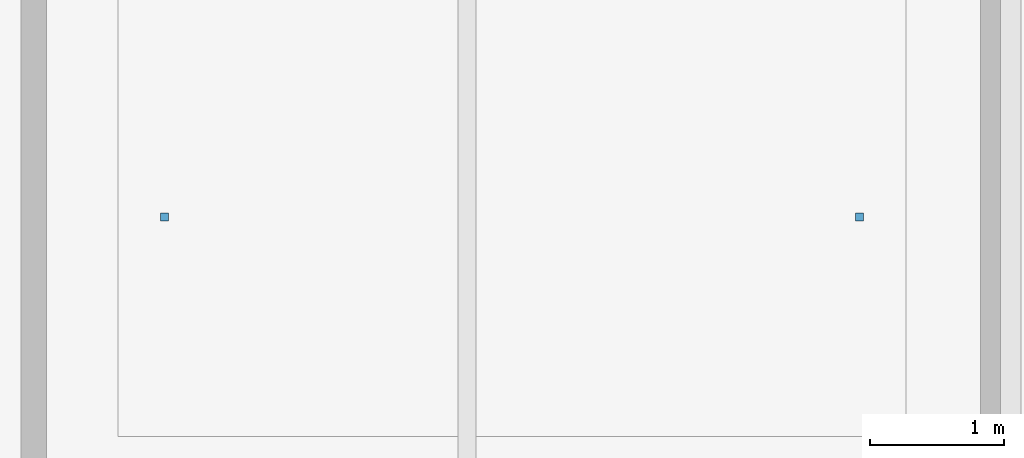
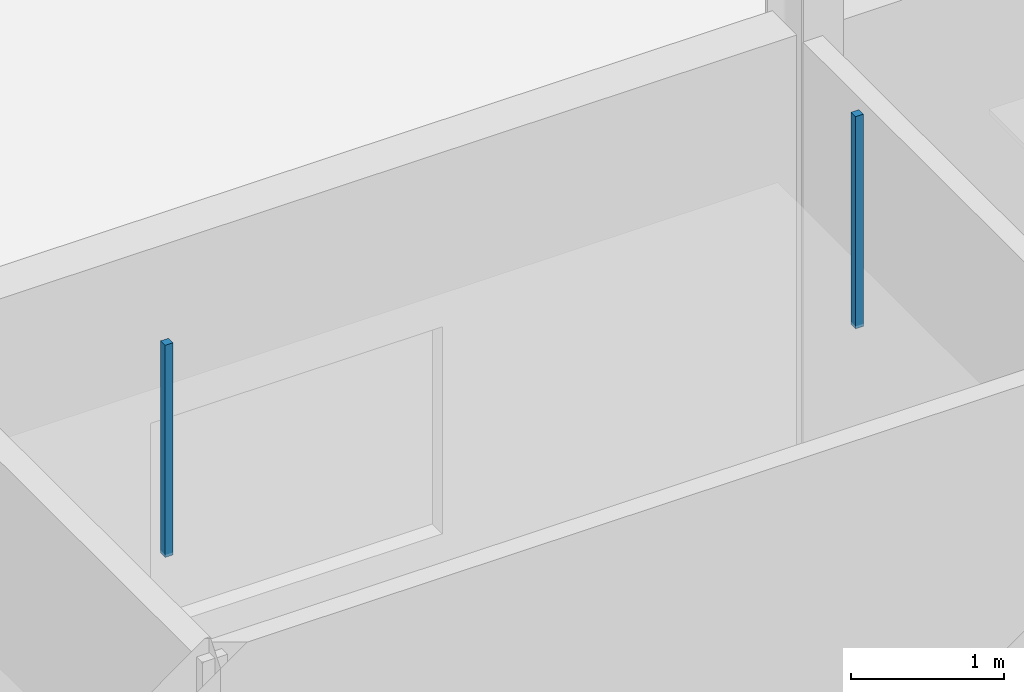
# One storey, part 79 of 126: 2 discrete accessories.
"""IFC4 building model written with IfcOpenShell, lengths in metres."""

from ifc_helpers import new_model, si_unit, direction, frame, origin, origin_2d, place, context, subcontext, project, spatial, rectangle, extrude, material, type_object, element, save


model = new_model("IFC4")

# Units and contexts
model_context = context("Model", 3, precision=1e-05, world=origin(), true_north=direction((0.0, 1.0)))
body_context = subcontext(model_context, "Body", "Model", "MODEL_VIEW")
ifc_project = project(units=[si_unit("LENGTHUNIT", "METRE"), si_unit("AREAUNIT", "SQUARE_METRE"), si_unit("VOLUMEUNIT", "CUBIC_METRE"), si_unit("PLANEANGLEUNIT", "RADIAN"), si_unit("MASSUNIT", "GRAM", prefix="KILO")], contexts=[model_context])

# Site, building, storey
site_placement = place(None, origin())
site = spatial("IfcSite", under=ifc_project, at=site_placement, CompositionType="ELEMENT")
building_placement = place(site_placement, origin())
building = spatial("IfcBuilding", under=site, at=building_placement, Name="Khelvaren Railside Concert Hall", CompositionType="ELEMENT")
storey_placement = place(building_placement, origin())
storey = spatial("IfcBuildingStorey", under=building, at=storey_placement, Name="L00", CompositionType="ELEMENT", Elevation=0.0)

# Discrete accessories
ifc_material = material(Name="Galvanised steel acoustic ceiling hanger rod", Category="steel")
discrete_accessory_type = type_object("IfcDiscreteAccessoryType", Name="BRK62", PredefinedType="BRACKET", material=ifc_material)
for number, where, z_axis, x_axis, name in (
    (1, (33.737060546875, 43.074951171875, 3.429931640625), (0.0, 0.0, 1.0), (1.0, 0.0, 0.0), "Acoustic Ceiling Suspension Bracket 11-1"),
    (2, (38.93994140625, 43.074951171875, 3.429931640625), (0.0, 0.0, 1.0), (1.0, 0.0, 0.0), "Acoustic Ceiling Suspension Bracket 11-2"),
):
    element("IfcDiscreteAccessory", number, at=place(storey_placement, frame(where, z_axis=z_axis, x_axis=x_axis)), inside=storey, type_object=discrete_accessory_type, Name=name, PredefinedType="BRACKET", context=body_context, shape_type="SweptSolid", body=[
        extrude(rectangle(XDim=0.06005859375, YDim=0.06005859375, at=origin_2d()), origin(), (0.0, 0.0, 1.0), 1.68994140625),
    ])

save(model, "model.ifc")
